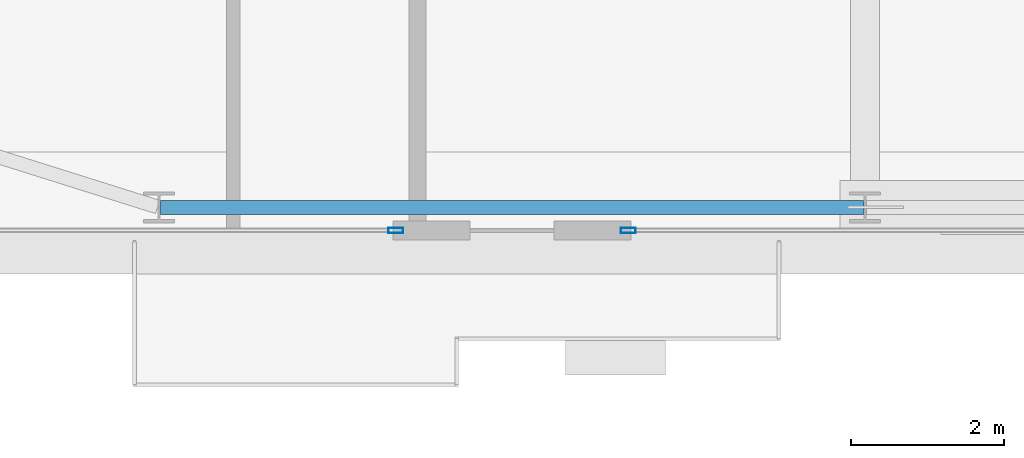
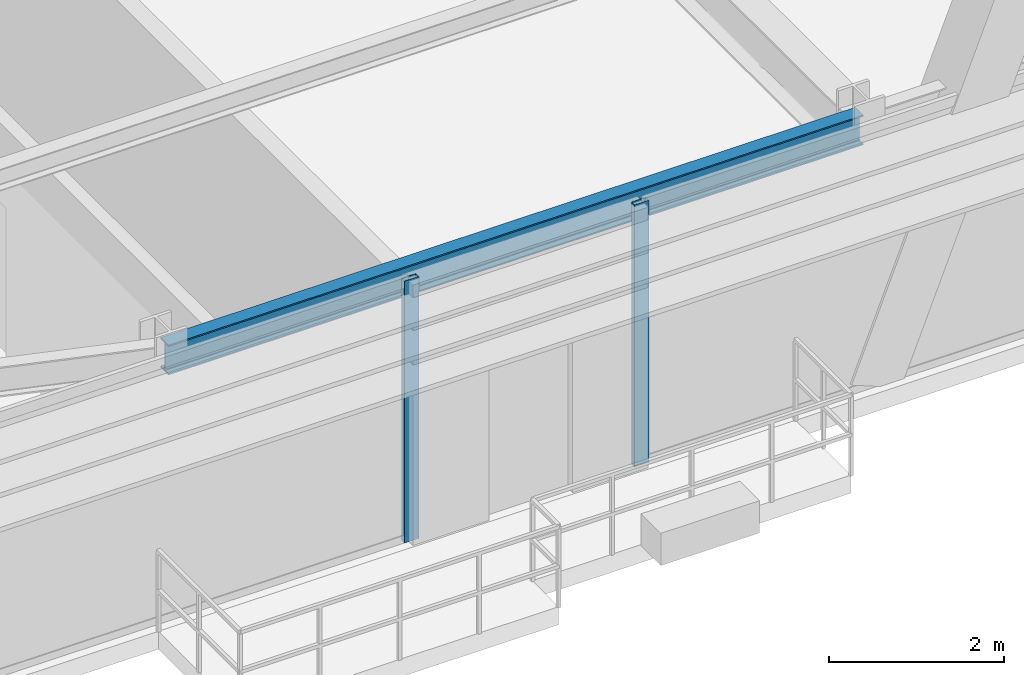
# One storey, part 5 of 32: 2 members, 1 beam, 2 elements without a shape of their own.
"""IFC4 building model written with IfcOpenShell, lengths in metres."""

from ifc_helpers import new_model, si_unit, direction, frame, origin, origin_2d, place, context, subcontext, project, spatial, hollow_rectangle, i_section, extrude, source, transform, mapped, material, layer, layer_set, material_profile, profile_set, type_object, type_shapes, element, aggregate, save


model = new_model("IFC4")

# Units and contexts
model_context = context("Model", 3, precision=1e-05, world=origin(), true_north=direction((0.0, 1.0)))
body_context = subcontext(model_context, "Body", "Model", "MODEL_VIEW")
ifc_project = project(units=[si_unit("LENGTHUNIT", "METRE"), si_unit("AREAUNIT", "SQUARE_METRE"), si_unit("VOLUMEUNIT", "CUBIC_METRE"), si_unit("PLANEANGLEUNIT", "RADIAN"), si_unit("MASSUNIT", "GRAM", prefix="KILO")], contexts=[model_context])

# Site, building, storey
site_placement = place(None, origin())
site = spatial("IfcSite", under=ifc_project, at=site_placement, CompositionType="ELEMENT")
building_placement = place(site_placement, origin())
building = spatial("IfcBuilding", under=site, at=building_placement, Name="Varnel Quay Broadcast Tower", CompositionType="ELEMENT")
storey_placement = place(building_placement, frame((0.0, 0.0, 58.800048828125)))
storey = spatial("IfcBuildingStorey", under=building, at=storey_placement, Name="L13", CompositionType="ELEMENT", Elevation=58.800048828125)

# Beam
ifc_material_1 = material(Name="Structural Steel CSA G40.21 350W", Category="steel")
ifc_material_profile_1 = material_profile(ifc_material_1, i_section(OverallWidth=0.180908203125, OverallDepth=0.4169921875, WebThickness=0.010986328125, FlangeThickness=0.018310546875, FilletRadius=0.011962890625, at=origin_2d()), Name="W410X85")
ifc_profile_set_1 = profile_set([ifc_material_profile_1], Name="Structural Steel CSA G40.21 350W")
beam_type = type_object("IfcBeamType", Name="Beam_W410X85", PredefinedType="SPANDREL", material=ifc_profile_set_1)
shared_shape_1 = source(origin(), body_context, "Body", "SweptSolid", [
    extrude(i_section(OverallWidth=0.180908203125, OverallDepth=0.4169921875, WebThickness=0.010986328125, FlangeThickness=0.018310546875, FilletRadius=0.011962890625, at=origin_2d()), origin(), (0.0, 0.0, 1.0), 9.159912109375),
])
type_shapes(beam_type, [shared_shape_1])
beam_placement = place(storey_placement, frame((15.6201171875, 1.64990234375, 3.44140625), z_axis=(1.0, 0.0, 0.0), x_axis=(0.0, 1.0, 0.0)))
element("IfcBeam", 1, at=beam_placement, inside=storey, type_object=beam_type, Name="L13 South Spandrel TC-S1-TC-S2", PredefinedType="SPANDREL", context=body_context, shape_type="MappedRepresentation", body=[
    mapped(shared_shape_1, transform((0.0, 0.0, 0.0), x_axis=(1.0, 0.0, 0.0), y_axis=(0.0, 1.0, 0.0), z_axis=(0.0, 0.0, 1.0), scale=1.0)),
])

# Curtain wall, member
ifc_material_2 = material(Name="Anodised Bronze Aluminium 6063-T6", Category="aluminium")
ifc_layer = layer(ifc_material_2, 0.18994140625, Name="Anodised Bronze Aluminium 6063-T6")
ifc_layer_set = layer_set([ifc_layer], Name="Anodised Bronze Aluminium 6063-T6")
curtain_wall_type = type_object("IfcCurtainWallType", Name="CW_LowerTower", PredefinedType="NOTDEFINED", material=ifc_layer_set)
curtain_wall_1_placement = place(storey_placement, origin())
curtain_wall_1 = element("IfcCurtainWall", 2, at=curtain_wall_1_placement, inside=storey, type_object=curtain_wall_type, Name="L13 South Unitised Curtain Wall 1", PredefinedType="NOTDEFINED")
ifc_material_profile_2 = material_profile(ifc_material_2, hollow_rectangle(XDim=0.070068359375, YDim=0.18994140625, WallThickness=0.00390625, at=origin_2d()), Name="ALU70X190X4")
ifc_profile_set_2 = profile_set([ifc_material_profile_2], Name="Anodised Bronze Aluminium 6063-T6")
member_type = type_object("IfcMemberType", Name="Mull_CWS-02", PredefinedType="MULLION", material=ifc_profile_set_2)
shared_shape_2 = source(origin(), body_context, "Body", "SweptSolid", [
    extrude(hollow_rectangle(XDim=0.070068359375, YDim=0.18994140625, WallThickness=0.00390625, at=origin_2d()), origin(), (0.0, 0.0, 1.0), 3.64990234375),
])
type_shapes(member_type, [shared_shape_2])
member_1_placement = place(storey_placement, frame((18.68505859375, 1.35009765625, 0.0), z_axis=(0.0, 0.0, 1.0), x_axis=(0.0, 1.0, 0.0)))
member_1 = element("IfcMember", 3, at=member_1_placement, type_object=member_type, Name="CWS-02 mullion 2", PredefinedType="MULLION", context=body_context, shape_type="MappedRepresentation", body=[
    mapped(shared_shape_2, transform((0.0, 0.0, 0.0), x_axis=(1.0, 0.0, 0.0), y_axis=(0.0, 1.0, 0.0), z_axis=(0.0, 0.0, 1.0), scale=1.0)),
])
aggregate(curtain_wall_1, [member_1])

curtain_wall_2_placement = place(storey_placement, origin())
curtain_wall_2 = element("IfcCurtainWall", 4, at=curtain_wall_2_placement, inside=storey, type_object=curtain_wall_type, Name="L13 South Unitised Curtain Wall 2", PredefinedType="NOTDEFINED")
member_2_placement = place(storey_placement, frame((21.715087890625, 1.35009765625, 0.0), z_axis=(0.0, 0.0, 1.0), x_axis=(0.0, 1.0, 0.0)))
member_2 = element("IfcMember", 5, at=member_2_placement, type_object=member_type, Name="CWS-02 mullion 1", PredefinedType="MULLION", context=body_context, shape_type="MappedRepresentation", body=[
    mapped(shared_shape_2, transform((0.0, 0.0, 0.0), x_axis=(1.0, 0.0, 0.0), y_axis=(0.0, 1.0, 0.0), z_axis=(0.0, 0.0, 1.0), scale=1.0)),
])
aggregate(curtain_wall_2, [member_2])

save(model, "model.ifc")
